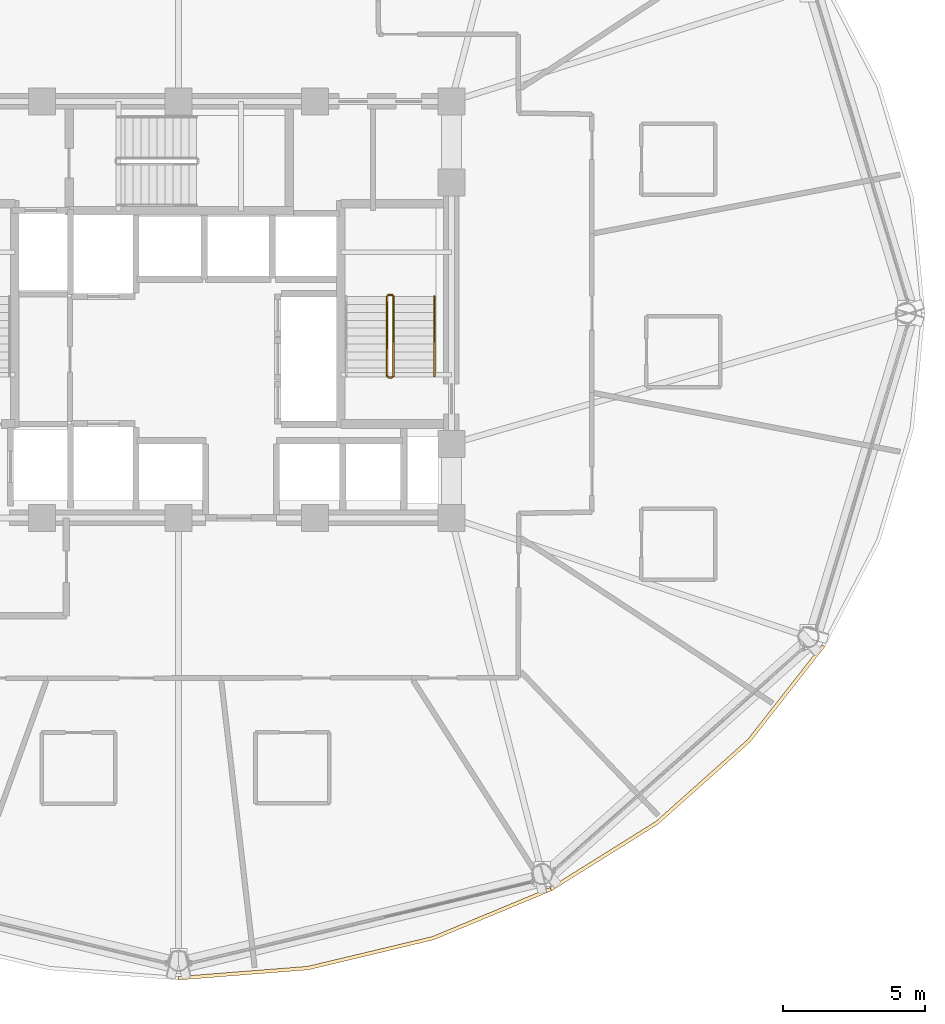
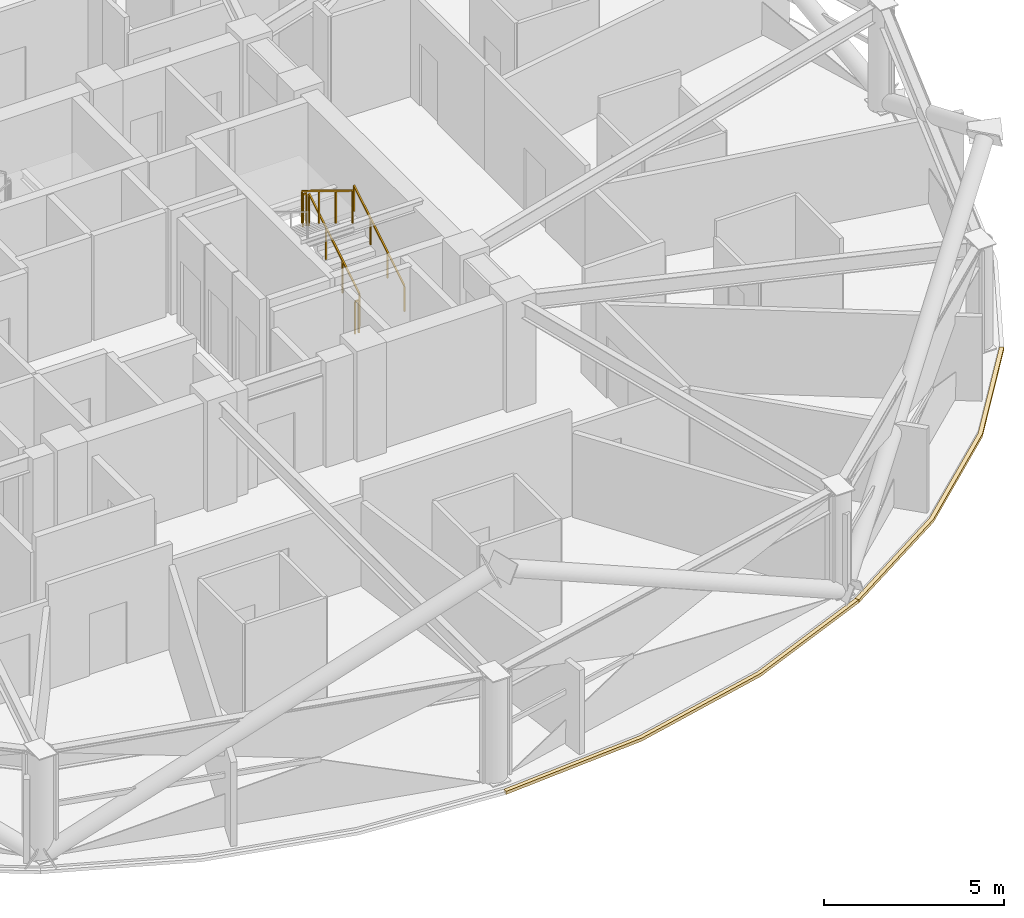
# One storey, part 31 of 32: 5 railings, 2 coverings.
"""IFC4 building model written with IfcOpenShell, lengths in metres."""

from ifc_helpers import new_model, si_unit, direction, frame, origin, origin_2d, place, context, subcontext, project, spatial, polyline, rectangle, outline, extrude, material, layer, layer_set, type_object, element, save


model = new_model("IFC4")

# Units and contexts
model_context = context("Model", 3, precision=1e-05, world=origin(), true_north=direction((0.0, 1.0)))
body_context = subcontext(model_context, "Body", "Model", "MODEL_VIEW")
ifc_project = project(units=[si_unit("LENGTHUNIT", "METRE"), si_unit("AREAUNIT", "SQUARE_METRE"), si_unit("VOLUMEUNIT", "CUBIC_METRE"), si_unit("PLANEANGLEUNIT", "RADIAN"), si_unit("MASSUNIT", "GRAM", prefix="KILO")], contexts=[model_context])

# Site, building, storey
site_placement = place(None, origin())
site = spatial("IfcSite", under=ifc_project, at=site_placement, CompositionType="ELEMENT")
building_placement = place(site_placement, origin())
building = spatial("IfcBuilding", under=site, at=building_placement, Name="Vantalir Tower", CompositionType="ELEMENT")
storey_placement = place(building_placement, frame((0.0, 0.0, 104.699951171875)))
storey = spatial("IfcBuildingStorey", under=building, at=storey_placement, Name="L25", CompositionType="ELEMENT", Elevation=104.699951171875)

# Coverings
ifc_material_1 = material(Name="Anodised champagne aluminium sill fascia", Category="aluminium")
ifc_layer = layer(ifc_material_1, 0.125)
ifc_layer_set = layer_set([ifc_layer], Name="Anodised champagne aluminium sill fascia")
covering_type = type_object("IfcCoveringType", Name="COV-SLAB-FASCIA-125", PredefinedType="CLADDING", material=ifc_layer_set)
covering_1_placement = place(storey_placement, frame((0.0, 0.0, -0.179931640625)))
element("IfcCovering", 1, at=covering_1_placement, inside=storey, type_object=covering_type, Name="L25 Perimeter Slab-Edge Sill Fascia 10", PredefinedType="CLADDING", context=body_context, shape_type="SweptSolid", body=[
    extrude(outline(polyline([(31.5, 1.537109375), (36.06103515625, 1.89306640625), (40.48193359375, 2.951904296875), (44.632080078125, 4.679931640625), (44.569091796875, 4.7890625), (40.43994140625, 3.069091796875), (36.0390625, 2.01708984375), (31.5, 1.662109375), (31.5, 1.537109375)])), origin(), (0.0, 0.0, 1.0), 0.10498046875),
])
covering_2_placement = place(storey_placement, frame((0.0, 0.0, -0.179931640625)))
element("IfcCovering", 2, at=covering_2_placement, inside=storey, type_object=covering_type, Name="L25 Perimeter Slab-Edge Sill Fascia 11", PredefinedType="CLADDING", context=body_context, shape_type="SweptSolid", body=[
    extrude(outline(polyline([(44.632080078125, 4.679931640625), (48.382080078125, 7.02587890625), (51.618896484375, 9.91796875), (54.243896484375, 13.26806640625), (54.135986328125, 13.3310546875), (51.52294921875, 9.9990234375), (48.301025390625, 7.1220703125), (44.569091796875, 4.7890625), (44.632080078125, 4.679931640625)])), origin(), (0.0, 0.0, 1.0), 0.10498046875),
])

# Railings
ifc_material_2 = material(Name="Anodised aluminium and stainless steel guard", Category="steel")
railing_type_1 = type_object("IfcRailingType", Name="RAL-GUARD-1120", PredefinedType="GUARDRAIL", material=ifc_material_2)
railing_1_placement = place(storey_placement, frame((39.06005859375, 22.7900390625, 0.17041015625)))
element("IfcRailing", 3, at=railing_1_placement, inside=storey, type_object=railing_type_1, Name="L25 ST2 stair guard 1", PredefinedType="GUARDRAIL", context=body_context, shape_type="SweptSolid", body=[
    extrude(rectangle(XDim=0.048095703125, YDim=0.048095703125, at=origin_2d()), frame((0.0, 0.0, 1.09619140625), z_axis=(0.0, 0.854169791009, 0.51999420009), x_axis=(-1.0, 0.0, 0.0)), (0.0, 0.0, 1.0), 3.278076171875),
    extrude(rectangle(XDim=0.0419921875, YDim=0.0419921875, at=origin_2d()), origin(), (0.0, 0.0, 1.0), 1.072021484375),
    extrude(rectangle(XDim=0.0419921875, YDim=0.0419921875, at=origin_2d()), frame((0.0, 0.933349609375, 0.568115234375)), (0.0, 0.0, 1.0), 1.072021484375),
    extrude(rectangle(XDim=0.0419921875, YDim=0.0419921875, at=origin_2d()), frame((0.0, 1.86669921875, 1.136474609375)), (0.0, 0.0, 1.0), 1.072021484375),
    extrude(rectangle(XDim=0.0419921875, YDim=0.0419921875, at=origin_2d()), frame((0.0, 2.800048828125, 1.70458984375)), (0.0, 0.0, 1.0), 1.072021484375),
])
railing_2_placement = place(storey_placement, frame((39.010009765625, 25.639892578125, 1.875)))
element("IfcRailing", 4, at=railing_2_placement, inside=storey, type_object=railing_type_1, Name="L25 ST2 stair guard 2", PredefinedType="GUARDRAIL", context=body_context, shape_type="SweptSolid", body=[
    extrude(rectangle(XDim=0.048095703125, YDim=0.048095703125, at=origin_2d()), frame((0.0, 0.0, 1.09619140625), z_axis=(-1.0, 0.0, 0.0), x_axis=(0.0, -1.0, 0.0)), (0.0, 0.0, 1.0), 0.1201171875),
    extrude(rectangle(XDim=0.0419921875, YDim=0.0419921875, at=origin_2d()), origin(), (0.0, 0.0, 1.0), 1.072021484375),
    extrude(rectangle(XDim=0.0419921875, YDim=0.0419921875, at=origin_2d()), frame((-0.1201171875, 0.0, 0.0)), (0.0, 0.0, 1.0), 1.072021484375),
])
railing_3_placement = place(storey_placement, frame((38.840087890625, 25.590087890625, 2.04541015625)))
element("IfcRailing", 5, at=railing_3_placement, inside=storey, type_object=railing_type_1, Name="L25 ST2 stair guard 3", PredefinedType="GUARDRAIL", context=body_context, shape_type="SweptSolid", body=[
    extrude(rectangle(XDim=0.048095703125, YDim=0.048095703125, at=origin_2d()), frame((0.0, 0.0, 1.09619140625), z_axis=(0.0, -0.854169791009, 0.51999420009), x_axis=(1.0, 0.0, 0.0)), (0.0, 0.0, 1.0), 3.278076171875),
    extrude(rectangle(XDim=0.0419921875, YDim=0.0419921875, at=origin_2d()), origin(), (0.0, 0.0, 1.0), 1.072021484375),
    extrude(rectangle(XDim=0.0419921875, YDim=0.0419921875, at=origin_2d()), frame((0.0, -0.933349609375, 0.568115234375)), (0.0, 0.0, 1.0), 1.072021484375),
    extrude(rectangle(XDim=0.0419921875, YDim=0.0419921875, at=origin_2d()), frame((0.0, -1.86669921875, 1.136474609375)), (0.0, 0.0, 1.0), 1.072021484375),
    extrude(rectangle(XDim=0.0419921875, YDim=0.0419921875, at=origin_2d()), frame((0.0, -2.800048828125, 1.70458984375)), (0.0, 0.0, 1.0), 1.072021484375),
])
railing_4_placement = place(storey_placement, frame((39.010009765625, 22.739990234375, 0.0)))
element("IfcRailing", 6, at=railing_4_placement, inside=storey, type_object=railing_type_1, Name="L25 ST2 stair guard 4", PredefinedType="GUARDRAIL", context=body_context, shape_type="SweptSolid", body=[
    extrude(rectangle(XDim=0.048095703125, YDim=0.048095703125, at=origin_2d()), frame((0.0, 0.0, 1.09619140625), z_axis=(-1.0, 0.0, 0.0), x_axis=(0.0, -1.0, 0.0)), (0.0, 0.0, 1.0), 0.1201171875),
    extrude(rectangle(XDim=0.0419921875, YDim=0.0419921875, at=origin_2d()), origin(), (0.0, 0.0, 1.0), 1.072021484375),
    extrude(rectangle(XDim=0.0419921875, YDim=0.0419921875, at=origin_2d()), frame((-0.1201171875, 0.0, 0.0)), (0.0, 0.0, 1.0), 1.072021484375),
])
ifc_material_3 = material(Name="Brushed stainless steel tubular handrail", Category="steel")
railing_type_2 = type_object("IfcRailingType", Name="RAL-HANDRAIL-900", PredefinedType="HANDRAIL", material=ifc_material_3)
railing_5_placement = place(storey_placement, frame((40.5, 22.7900390625, 0.17041015625)))
element("IfcRailing", 7, at=railing_5_placement, inside=storey, type_object=railing_type_2, Name="L25 ST2 stair handrail 1", PredefinedType="HANDRAIL", context=body_context, shape_type="SweptSolid", body=[
    extrude(rectangle(XDim=0.048095703125, YDim=0.048095703125, at=origin_2d()), frame((0.0, 0.0, 0.8759765625), z_axis=(0.0, 0.854169791009, 0.51999420009), x_axis=(-1.0, 0.0, 0.0)), (0.0, 0.0, 1.0), 3.278076171875),
    extrude(rectangle(XDim=0.0419921875, YDim=0.0419921875, at=origin_2d()), origin(), (0.0, 0.0, 1.0), 0.851806640625),
    extrude(rectangle(XDim=0.0419921875, YDim=0.0419921875, at=origin_2d()), frame((0.0, 0.933349609375, 0.568115234375)), (0.0, 0.0, 1.0), 0.851806640625),
    extrude(rectangle(XDim=0.0419921875, YDim=0.0419921875, at=origin_2d()), frame((0.0, 1.86669921875, 1.136474609375)), (0.0, 0.0, 1.0), 0.851806640625),
    extrude(rectangle(XDim=0.0419921875, YDim=0.0419921875, at=origin_2d()), frame((0.0, 2.800048828125, 1.70458984375)), (0.0, 0.0, 1.0), 0.851806640625),
])

save(model, "model.ifc")
